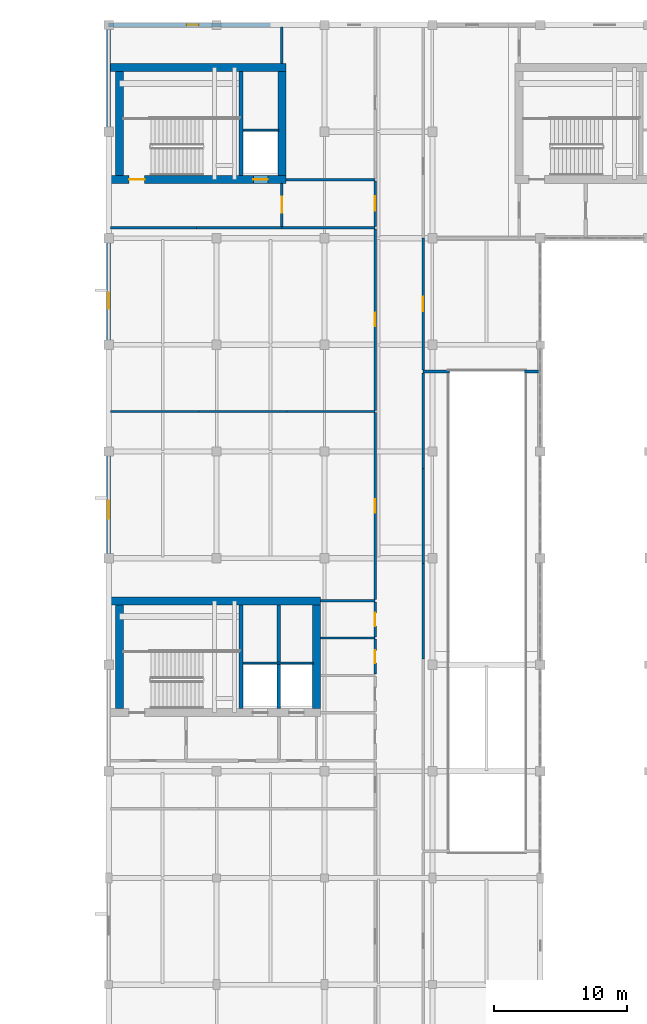
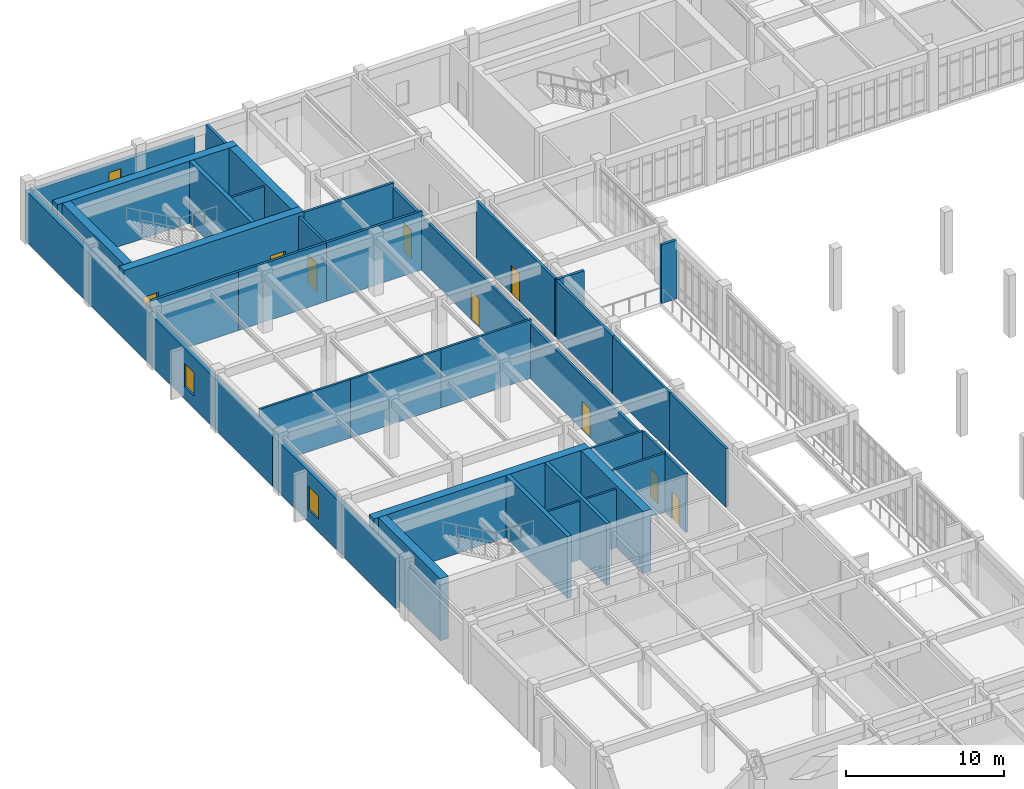
# One storey, part 46 of 61: 38 walls, 9 doors, 3 windows, 12 openings.
"""IFC4 building model written with IfcOpenShell, lengths in metres."""

from ifc_helpers import new_model, si_unit, direction, frame, frame_2d, origin, place, context, subcontext, project, spatial, rectangle, extrude, material, layer, layer_set, type_object, element, fill, save


model = new_model("IFC4")

# Units and contexts
model_context = context("Model", 3, precision=1e-05, world=origin(), true_north=direction((0.0, 1.0)))
body_context = subcontext(model_context, "Body", "Model", "MODEL_VIEW")
ifc_project = project(units=[si_unit("LENGTHUNIT", "METRE"), si_unit("AREAUNIT", "SQUARE_METRE"), si_unit("VOLUMEUNIT", "CUBIC_METRE"), si_unit("PLANEANGLEUNIT", "RADIAN"), si_unit("MASSUNIT", "GRAM", prefix="KILO")], contexts=[model_context])

# Site, building, storey
site_placement = place(None, origin())
site = spatial("IfcSite", under=ifc_project, at=site_placement, CompositionType="ELEMENT")
building_placement = place(site_placement, origin())
building = spatial("IfcBuilding", under=site, at=building_placement, Name="Tarnveldt Square Police Headquarters", CompositionType="ELEMENT")
storey_placement = place(building_placement, frame((0.0, 0.0, 5.39990234375)))
storey = spatial("IfcBuildingStorey", under=building, at=storey_placement, Name="L01", CompositionType="ELEMENT", Elevation=5.39990234375)

# Walls
ifc_material_1 = material(Name="Fire-rated Type X gypsum board on steel studs", Category="steel")
ifc_layer_1 = layer(ifc_material_1, 0.199951171875)
ifc_layer_set_1 = layer_set([ifc_layer_1], Name="Fire-rated Type X gypsum board on steel studs")
wall_type_1 = type_object("IfcWallType", Name="WL-ACOUST-200", PredefinedType="PARTITIONING", material=ifc_layer_set_1)
wall_1_placement = place(storey_placement, frame((39.800048828125, 86.0, 0.0), z_axis=(0.0, 0.0, 1.0), x_axis=(1.0, 0.0, 0.0)))
element("IfcWall", 1, at=wall_1_placement, inside=storey, type_object=wall_type_1, Name="L01 Interior Partition Wall 0243", PredefinedType="PARTITIONING", context=body_context, shape_type="SweptSolid", body=[
    extrude(rectangle(XDim=1.989990234375, YDim=0.199951171875, at=frame_2d((0.9951171875, 0.0))), origin(), (0.0, 0.0, 1.0), 4.52001953125),
])
wall_2_placement = place(storey_placement, frame((47.409912109375, 86.0, 0.0), z_axis=(0.0, 0.0, 1.0), x_axis=(1.0, 0.0, 0.0)))
element("IfcWall", 2, at=wall_2_placement, inside=storey, type_object=wall_type_1, Name="L01 Interior Partition Wall 0244", PredefinedType="PARTITIONING", context=body_context, shape_type="SweptSolid", body=[
    extrude(rectangle(XDim=1.125, YDim=0.199951171875, at=frame_2d((0.5625, 0.0))), origin(), (0.0, 0.0, 1.0), 4.52001953125),
])
wall_3_placement = place(storey_placement, frame((29.199951171875, 109.10791015625, 0.0), z_axis=(0.0, 0.0, 1.0), x_axis=(0.0, 1.0, 0.0)))
element("IfcWall", 3, at=wall_3_placement, inside=storey, type_object=wall_type_1, Name="L01 Interior Partition Wall 0268", PredefinedType="PARTITIONING", context=body_context, shape_type="SweptSolid", body=[
    extrude(rectangle(XDim=2.734130859375, YDim=0.199951171875, at=frame_2d((1.3671875, 0.0))), origin(), (0.0, 0.0, 1.0), 4.52001953125),
])
ifc_material_2 = material(Name="Concrete 50 MPa", Category="concrete")
ifc_layer_2 = layer(ifc_material_2, 0.449951171875)
ifc_layer_set_2 = layer_set([ifc_layer_2], Name="Concrete 50 MPa")
wall_type_2 = type_object("IfcWallType", Name="WL-CORE-450", PredefinedType="SHEAR", material=ifc_layer_set_2)
wall_4_placement = place(storey_placement, frame((26.14990234375, 60.699951171875, 0.0), z_axis=(0.0, 0.0, 1.0), x_axis=(0.0, 1.0, 0.0)))
element("IfcWall", 4, at=wall_4_placement, inside=storey, type_object=wall_type_2, Name="Core K1 South-West Command and Firefighting Core L01 Stair-Lift Divider Shear Wall", PredefinedType="SHEAR", context=body_context, shape_type="SweptSolid", body=[
    extrude(rectangle(XDim=7.800048828125, YDim=0.300048828125, at=frame_2d((3.89990234375, 0.0))), origin(), (0.0, 0.0, 1.0), 4.800048828125),
])
wall_5_placement = place(storey_placement, frame((28.97509765625, 60.699951171875, 0.0), z_axis=(0.0, 0.0, 1.0), x_axis=(0.0, 1.0, 0.0)))
element("IfcWall", 5, at=wall_5_placement, inside=storey, type_object=wall_type_2, Name="Core K1 South-West Command and Firefighting Core L01 Dual-Lift Shaft Divider Wall", PredefinedType="SHEAR", context=body_context, shape_type="SweptSolid", body=[
    extrude(rectangle(XDim=7.800048828125, YDim=0.25, at=frame_2d((3.89990234375, 0.0))), origin(), (0.0, 0.0, 1.0), 4.800048828125),
])
wall_6_placement = place(storey_placement, frame((26.14990234375, 100.699951171875, 0.0), z_axis=(0.0, 0.0, 1.0), x_axis=(0.0, 1.0, 0.0)))
element("IfcWall", 6, at=wall_6_placement, inside=storey, type_object=wall_type_2, Name="Core K2 North-West Operations Core L01 Stair-Lift Divider Shear Wall", PredefinedType="SHEAR", context=body_context, shape_type="SweptSolid", body=[
    extrude(rectangle(XDim=7.800048828125, YDim=0.300048828125, at=frame_2d((3.89990234375, 0.0))), origin(), (0.0, 0.0, 1.0), 4.800048828125),
])
ifc_layer_3 = layer(ifc_material_2, 0.60009765625)
ifc_layer_set_3 = layer_set([ifc_layer_3], Name="Concrete 50 MPa")
wall_type_3 = type_object("IfcWallType", Name="WL-CORE-600", PredefinedType="SHEAR", material=ifc_layer_set_3)
wall_7_placement = place(storey_placement, frame((16.360107421875, 68.800048828125, 0.0), z_axis=(0.0, 0.0, 1.0), x_axis=(1.0, 0.0, 0.0)))
element("IfcWall", 7, at=wall_7_placement, inside=storey, type_object=wall_type_3, Name="Core K1 South-West Command and Firefighting Core L01 North Shear Wall", PredefinedType="SHEAR", context=body_context, shape_type="SweptSolid", body=[
    extrude(rectangle(XDim=15.739990234375, YDim=0.60009765625, at=frame_2d((7.8701171875, 0.0))), origin(), (0.0, 0.0, 1.0), 4.800048828125),
])
for number, where, z_axis, x_axis, name in (
    (8, (17.0, 60.699951171875, 0.0), (0.0, 0.0, 1.0), (0.0, 1.0, 0.0), "Core K1 South-West Command and Firefighting Core L01 West Shear Wall"),
    (9, (31.800048828125, 60.699951171875, 0.0), (0.0, 0.0, 1.0), (0.0, 1.0, 0.0), "Core K1 South-West Command and Firefighting Core L01 East Shear Wall"),
):
    element("IfcWall", number, at=place(storey_placement, frame(where, z_axis=z_axis, x_axis=x_axis)), inside=storey, type_object=wall_type_3, Name=name, PredefinedType="SHEAR", context=body_context, shape_type="SweptSolid", body=[
        extrude(rectangle(XDim=7.800048828125, YDim=0.60009765625, at=frame_2d((3.89990234375, 0.0))), origin(), (0.0, 0.0, 1.0), 4.800048828125),
    ])

# Wall, openings, doors
wall_8_placement = place(storey_placement, frame((16.360107421875, 100.39990234375, 0.0), z_axis=(0.0, 0.0, 1.0), x_axis=(1.0, 0.0, 0.0)))
wall_8 = element("IfcWall", 10, at=wall_8_placement, inside=storey, type_object=wall_type_3, Name="Core K2 North-West Operations Core L01 South Shear Wall", PredefinedType="SHEAR", context=body_context, shape_type="SweptSolid", body=[
    extrude(rectangle(XDim=13.139892578125, YDim=0.60009765625, at=frame_2d((6.56982421875, 0.0))), origin(), (0.0, 0.0, 1.0), 4.800048828125),
])
opening_1_placement = place(wall_8_placement, frame((1.389892578125, 0.0, 0.0)))
opening_1 = element("IfcOpeningElement", 11, at=opening_1_placement, cuts=wall_8, Name="Opening D-ST2-L01", PredefinedType="OPENING", context=body_context, shape_type="SweptSolid", body=[
    extrude(rectangle(XDim=1.14990234375, YDim=2.25, at=frame_2d((0.574951171875, 1.125))), frame((0.0, 0.31005859375, 0.0), z_axis=(0.0, -1.0, 0.0), x_axis=(1.0, 0.0, 0.0)), (0.0, 0.0, 1.0), 0.6201171875),
])
opening_2_placement = place(wall_8_placement, frame((10.695068359375, 0.0, 0.0)))
opening_2 = element("IfcOpeningElement", 12, at=opening_2_placement, cuts=wall_8, Name="Opening LD-LP2-L01", PredefinedType="OPENING", context=body_context, shape_type="SweptSolid", body=[
    extrude(rectangle(XDim=1.10009765625, YDim=2.199951171875, at=frame_2d((0.550048828125, 1.10009765625))), frame((0.0, 0.31005859375, 0.0), z_axis=(0.0, -1.0, 0.0), x_axis=(1.0, 0.0, 0.0)), (0.0, 0.0, 1.0), 0.6201171875),
])
ifc_material_3 = material(Name="Insulated hollow metal steel door leaf", Category="steel")
door_type_1 = type_object("IfcDoorType", Name="DR-FD90-1150", OperationType="NOTDEFINED", PredefinedType="DOOR", material=ifc_material_3)
door_1_placement = place(opening_1_placement, origin())
door_1 = element("IfcDoor", 13, at=door_1_placement, inside=storey, type_object=door_type_1, Name="Exit Stair ST2 L01 Fire Door", OperationType="SINGLE_SWING_LEFT", OverallHeight=2.25, OverallWidth=1.14990234375, PredefinedType="DOOR", context=body_context, shape_type="SweptSolid", body=[
    extrude(rectangle(XDim=1.14990234375, YDim=2.25, at=frame_2d((0.574951171875, 1.125))), frame((0.0, 0.02490234375, 0.0), z_axis=(0.0, -1.0, 0.0), x_axis=(1.0, 0.0, 0.0)), (0.0, 0.0, 1.0), 0.050048828125),
])
fill(opening_1, door_1)
ifc_material_4 = material(Name="Steel 350W", Category="steel")
door_type_2 = type_object("IfcDoorType", Name="DR-LD-1100", OperationType="DOUBLE_DOOR_SLIDING", PredefinedType="DOOR", material=ifc_material_4)
door_2_placement = place(opening_2_placement, frame((1.10009765625, 0.0, 0.0), z_axis=(0.0, 0.0, 1.0), x_axis=(-1.0, 0.0, 0.0)))
door_2 = element("IfcDoor", 14, at=door_2_placement, inside=storey, type_object=door_type_2, Name="Elevator LP2 L01 Sliding Landing Door", OperationType="DOUBLE_DOOR_SLIDING", OverallHeight=2.199951171875, OverallWidth=1.10009765625, PredefinedType="DOOR", context=body_context, shape_type="SweptSolid", body=[
    extrude(rectangle(XDim=1.10009765625, YDim=2.199951171875, at=frame_2d((0.550048828125, 1.10009765625))), frame((0.0, 0.02490234375, 0.0), z_axis=(0.0, -1.0, 0.0), x_axis=(1.0, 0.0, 0.0)), (0.0, 0.0, 1.0), 0.050048828125),
])
fill(opening_2, door_2)

# Walls
wall_9_placement = place(storey_placement, frame((16.360107421875, 108.800048828125, 0.0), z_axis=(0.0, 0.0, 1.0), x_axis=(1.0, 0.0, 0.0)))
element("IfcWall", 15, at=wall_9_placement, inside=storey, type_object=wall_type_3, Name="Core K2 North-West Operations Core L01 North Shear Wall", PredefinedType="SHEAR", context=body_context, shape_type="SweptSolid", body=[
    extrude(rectangle(XDim=13.139892578125, YDim=0.60009765625, at=frame_2d((6.56982421875, 0.0))), origin(), (0.0, 0.0, 1.0), 4.800048828125),
])
for number, where, z_axis, x_axis, name in (
    (16, (17.0, 100.699951171875, 0.0), (0.0, 0.0, 1.0), (0.0, 1.0, 0.0), "Core K2 North-West Operations Core L01 West Shear Wall"),
    (17, (29.199951171875, 100.699951171875, 0.0), (0.0, 0.0, 1.0), (0.0, 1.0, 0.0), "Core K2 North-West Operations Core L01 East Shear Wall"),
):
    element("IfcWall", number, at=place(storey_placement, frame(where, z_axis=z_axis, x_axis=x_axis)), inside=storey, type_object=wall_type_3, Name=name, PredefinedType="SHEAR", context=body_context, shape_type="SweptSolid", body=[
        extrude(rectangle(XDim=7.800048828125, YDim=0.60009765625, at=frame_2d((3.89990234375, 0.0))), origin(), (0.0, 0.0, 1.0), 4.800048828125),
    ])

# Wall, opening, window
ifc_material_5 = material(Name="Manganese ironspot clay brick masonry 20 MPa", Category="masonry")
ifc_layer_4 = layer(ifc_material_5, 0.300048828125)
ifc_layer_set_4 = layer_set([ifc_layer_4], Name="Manganese ironspot clay brick masonry 20 MPa")
wall_type_4 = type_object("IfcWallType", Name="WL-EXT-BRK300", PredefinedType="SOLIDWALL", material=ifc_layer_set_4)
wall_10_placement = place(storey_placement, frame((28.35009765625, 112.0, 0.0), z_axis=(0.0, 0.0, 1.0), x_axis=(-1.0, 0.0, 0.0)))
wall_10 = element("IfcWall", 18, at=wall_10_placement, inside=storey, type_object=wall_type_4, Name="L01 Brutalist Exterior Wall 0093", PredefinedType="SOLIDWALL", context=body_context, shape_type="SweptSolid", body=[
    extrude(rectangle(XDim=12.150146484375, YDim=0.300048828125, at=frame_2d((6.0751953125, 0.0))), origin(), (0.0, 0.0, 1.0), 3.81201171875),
])
opening_3_placement = place(wall_10_placement, frame((5.39990234375, 0.0, 0.85009765625)))
opening_3 = element("IfcOpeningElement", 19, at=opening_3_placement, cuts=wall_10, Name="Opening W03", PredefinedType="OPENING", context=body_context, shape_type="SweptSolid", body=[
    extrude(rectangle(XDim=0.89990234375, YDim=2.39990234375, at=frame_2d((0.449951171875, 1.199951171875))), frame((0.0, 0.159912109375, 0.0), z_axis=(0.0, -1.0, 0.0), x_axis=(1.0, 0.0, 0.0)), (0.0, 0.0, 1.0), 0.320068359375),
])
ifc_material_6 = material(Name="Triple-glazed low-e laminated vision glass", Category="glass")
window_type_1 = type_object("IfcWindowType", Name="WIN-DR-090x240", PartitioningType="DOUBLE_PANEL_HORIZONTAL", PredefinedType="WINDOW", material=ifc_material_6)
window_1_placement = place(opening_3_placement, origin())
window_1 = element("IfcWindow", 20, at=window_1_placement, inside=storey, type_object=window_type_1, Name="L01 Deep-Reveal Brutalist Window 0027", OverallHeight=2.39990234375, OverallWidth=0.89990234375, PartitioningType="DOUBLE_PANEL_HORIZONTAL", PredefinedType="WINDOW", context=body_context, shape_type="SweptSolid", body=[
    extrude(rectangle(XDim=0.89990234375, YDim=2.39990234375, at=frame_2d((0.449951171875, 1.199951171875))), frame((0.0, 0.030029296875, 0.0), z_axis=(0.0, -1.0, 0.0), x_axis=(1.0, 0.0, 0.0)), (0.0, 0.0, 1.0), 0.06005859375),
])
fill(opening_3, window_1)

# Wall
wall_11_placement = place(storey_placement, frame((16.199951171875, 112.0, 0.0), z_axis=(0.0, 0.0, 1.0), x_axis=(0.0, -1.0, 0.0)))
element("IfcWall", 21, at=wall_11_placement, inside=storey, type_object=wall_type_4, Name="L01 Brutalist Exterior Wall 0094", PredefinedType="SOLIDWALL", context=body_context, shape_type="SweptSolid", body=[
    extrude(rectangle(XDim=15.60009765625, YDim=0.300048828125, at=frame_2d((7.800048828125, 0.0))), origin(), (0.0, 0.0, 1.0), 3.912109375),
])

# Wall, opening, window
wall_12_placement = place(storey_placement, frame((16.199951171875, 96.39990234375, 0.0), z_axis=(0.0, 0.0, 1.0), x_axis=(0.0, -1.0, 0.0)))
wall_12 = element("IfcWall", 22, at=wall_12_placement, inside=storey, type_object=wall_type_4, Name="L01 Brutalist Exterior Wall 0095", PredefinedType="SOLIDWALL", context=body_context, shape_type="SweptSolid", body=[
    extrude(rectangle(XDim=15.599853515625, YDim=0.300048828125, at=frame_2d((7.7998046875, 0.0))), origin(), (0.0, 0.0, 1.0), 3.912109375),
])
opening_4_placement = place(wall_12_placement, frame((4.5, 0.0, 0.949951171875)))
opening_4 = element("IfcOpeningElement", 23, at=opening_4_placement, cuts=wall_12, Name="Opening W04", PredefinedType="OPENING", context=body_context, shape_type="SweptSolid", body=[
    extrude(rectangle(XDim=1.199951171875, YDim=1.800048828125, at=frame_2d((0.60009765625, 0.89990234375))), frame((0.0, 0.159912109375, 0.0), z_axis=(0.0, -1.0, 0.0), x_axis=(1.0, 0.0, 0.0)), (0.0, 0.0, 1.0), 0.320068359375),
])
window_type_2 = type_object("IfcWindowType", Name="WIN-DR-120x180", PartitioningType="SINGLE_PANEL", PredefinedType="WINDOW", material=ifc_material_6)
window_2_placement = place(opening_4_placement, origin())
window_2 = element("IfcWindow", 24, at=window_2_placement, inside=storey, type_object=window_type_2, Name="L01 Deep-Reveal Brutalist Window 0028", OverallHeight=1.800048828125, OverallWidth=1.199951171875, PartitioningType="SINGLE_PANEL", PredefinedType="WINDOW", context=body_context, shape_type="SweptSolid", body=[
    extrude(rectangle(XDim=1.199951171875, YDim=1.800048828125, at=frame_2d((0.60009765625, 0.89990234375))), frame((0.0, 0.030029296875, 0.0), z_axis=(0.0, -1.0, 0.0), x_axis=(1.0, 0.0, 0.0)), (0.0, 0.0, 1.0), 0.06005859375),
])
fill(opening_4, window_2)

wall_13_placement = place(storey_placement, frame((16.199951171875, 80.800048828125, 0.0), z_axis=(0.0, 0.0, 1.0), x_axis=(0.0, -1.0, 0.0)))
wall_13 = element("IfcWall", 25, at=wall_13_placement, inside=storey, type_object=wall_type_4, Name="L01 Brutalist Exterior Wall 0096", PredefinedType="SOLIDWALL", context=body_context, shape_type="SweptSolid", body=[
    extrude(rectangle(XDim=15.60009765625, YDim=0.300048828125, at=frame_2d((7.800048828125, 0.0))), origin(), (0.0, 0.0, 1.0), 3.912109375),
])
opening_5_placement = place(wall_13_placement, frame((4.5, 0.0, 0.949951171875)))
opening_5 = element("IfcOpeningElement", 26, at=opening_5_placement, cuts=wall_13, Name="Opening W05", PredefinedType="OPENING", context=body_context, shape_type="SweptSolid", body=[
    extrude(rectangle(XDim=1.35009765625, YDim=1.800048828125, at=frame_2d((0.675048828125, 0.89990234375))), frame((0.0, 0.159912109375, 0.0), z_axis=(0.0, -1.0, 0.0), x_axis=(1.0, 0.0, 0.0)), (0.0, 0.0, 1.0), 0.320068359375),
])
window_type_3 = type_object("IfcWindowType", Name="WIN-DR-135x180", PartitioningType="DOUBLE_PANEL_VERTICAL", PredefinedType="WINDOW", material=ifc_material_6)
window_3_placement = place(opening_5_placement, origin())
window_3 = element("IfcWindow", 27, at=window_3_placement, inside=storey, type_object=window_type_3, Name="L01 Deep-Reveal Brutalist Window 0029", OverallHeight=1.800048828125, OverallWidth=1.35009765625, PartitioningType="DOUBLE_PANEL_VERTICAL", PredefinedType="WINDOW", context=body_context, shape_type="SweptSolid", body=[
    extrude(rectangle(XDim=1.35009765625, YDim=1.800048828125, at=frame_2d((0.675048828125, 0.89990234375))), frame((0.0, 0.030029296875, 0.0), z_axis=(0.0, -1.0, 0.0), x_axis=(1.0, 0.0, 0.0)), (0.0, 0.0, 1.0), 0.06005859375),
])
fill(opening_5, window_3)

# Walls
ifc_layer_5 = layer(ifc_material_1, 0.179931640625)
ifc_layer_set_5 = layer_set([ifc_layer_5], Name="Fire-rated Type X gypsum board on steel studs")
wall_type_5 = type_object("IfcWallType", Name="WL-FIRE-180", PredefinedType="PARTITIONING", material=ifc_layer_set_5)
wall_14_placement = place(storey_placement, frame((16.35791015625, 96.800048828125, 0.0), z_axis=(0.0, 0.0, 1.0), x_axis=(1.0, 0.0, 0.0)))
element("IfcWall", 28, at=wall_14_placement, inside=storey, type_object=wall_type_5, Name="L01 Interior Partition Wall 0226", PredefinedType="PARTITIONING", context=body_context, shape_type="SweptSolid", body=[
    extrude(rectangle(XDim=6.421142578125, YDim=0.179931640625, at=frame_2d((3.21044921875, 0.0))), origin(), (0.0, 0.0, 1.0), 4.52001953125),
])
wall_15_placement = place(storey_placement, frame((22.779052734375, 96.800048828125, 0.0), z_axis=(0.0, 0.0, 1.0), x_axis=(1.0, 0.0, 0.0)))
element("IfcWall", 29, at=wall_15_placement, inside=storey, type_object=wall_type_5, Name="L01 Interior Partition Wall 0227", PredefinedType="PARTITIONING", context=body_context, shape_type="SweptSolid", body=[
    extrude(rectangle(XDim=6.4208984375, YDim=0.179931640625, at=frame_2d((3.21044921875, 0.0))), origin(), (0.0, 0.0, 1.0), 4.52001953125),
])
wall_16_placement = place(storey_placement, frame((29.199951171875, 96.800048828125, 0.0), z_axis=(0.0, 0.0, 1.0), x_axis=(1.0, 0.0, 0.0)))
element("IfcWall", 30, at=wall_16_placement, inside=storey, type_object=wall_type_5, Name="L01 Interior Partition Wall 0231", PredefinedType="PARTITIONING", context=body_context, shape_type="SweptSolid", body=[
    extrude(rectangle(XDim=7.0, YDim=0.179931640625, at=frame_2d((3.5, 0.0))), origin(), (0.0, 0.0, 1.0), 4.52001953125),
])
wall_17_placement = place(storey_placement, frame((29.5, 100.39990234375, 0.0), z_axis=(0.0, 0.0, 1.0), x_axis=(1.0, 0.0, 0.0)))
element("IfcWall", 31, at=wall_17_placement, inside=storey, type_object=wall_type_5, Name="L01 Interior Partition Wall 0232", PredefinedType="PARTITIONING", context=body_context, shape_type="SweptSolid", body=[
    extrude(rectangle(XDim=6.699951171875, YDim=0.179931640625, at=frame_2d((3.35009765625, 0.0))), origin(), (0.0, 0.0, 1.0), 4.52001953125),
])

# Wall, opening, door
wall_18_placement = place(storey_placement, frame((29.199951171875, 96.89794921875, 0.0), z_axis=(0.0, 0.0, 1.0), x_axis=(0.0, 1.0, 0.0)))
wall_18 = element("IfcWall", 32, at=wall_18_placement, inside=storey, type_object=wall_type_5, Name="L01 Interior Partition Wall 0267", PredefinedType="PARTITIONING", context=body_context, shape_type="SweptSolid", body=[
    extrude(rectangle(XDim=3.194091796875, YDim=0.179931640625, at=frame_2d((1.59716796875, 0.0))), origin(), (0.0, 0.0, 1.0), 4.52001953125),
])
opening_6_placement = place(wall_18_placement, frame((0.9970703125, 0.0, 0.0)))
opening_6 = element("IfcOpeningElement", 33, at=opening_6_placement, cuts=wall_18, Name="Opening D16", PredefinedType="OPENING", context=body_context, shape_type="SweptSolid", body=[
    extrude(rectangle(XDim=1.199951171875, YDim=2.199951171875, at=frame_2d((0.60009765625, 1.10009765625))), frame((0.0, 0.099853515625, 0.0), z_axis=(0.0, -1.0, 0.0), x_axis=(1.0, 0.0, 0.0)), (0.0, 0.0, 1.0), 0.199951171875),
])
door_type_3 = type_object("IfcDoorType", Name="DR-FD60-1200", OperationType="NOTDEFINED", PredefinedType="DOOR", material=ifc_material_3)
door_3_placement = place(opening_6_placement, frame((1.199951171875, 0.0, 0.0), z_axis=(0.0, 0.0, 1.0), x_axis=(-1.0, 0.0, 0.0)))
door_3 = element("IfcDoor", 34, at=door_3_placement, inside=storey, type_object=door_type_3, Name="Core Lift Lobby K2-L01 Door", OperationType="SINGLE_SWING_RIGHT", OverallHeight=2.199951171875, OverallWidth=1.199951171875, PredefinedType="DOOR", context=body_context, shape_type="SweptSolid", body=[
    extrude(rectangle(XDim=1.199951171875, YDim=2.199951171875, at=frame_2d((0.60009765625, 1.10009765625))), frame((0.0, 0.02490234375, 0.0), z_axis=(0.0, -1.0, 0.0), x_axis=(1.0, 0.0, 0.0)), (0.0, 0.0, 1.0), 0.050048828125),
])
fill(opening_6, door_3)

wall_19_placement = place(storey_placement, frame((36.199951171875, 63.2880859375, 0.0), z_axis=(0.0, 0.0, 1.0), x_axis=(0.0, 1.0, 0.0)))
wall_19 = element("IfcWall", 35, at=wall_19_placement, inside=storey, type_object=wall_type_5, Name="L01 Interior Partition Wall 0278", PredefinedType="PARTITIONING", context=body_context, shape_type="SweptSolid", body=[
    extrude(rectangle(XDim=2.6240234375, YDim=0.179931640625, at=frame_2d((1.31201171875, 0.0))), origin(), (0.0, 0.0, 1.0), 4.52001953125),
])
opening_7_placement = place(wall_19_placement, frame((0.8369140625, 0.0, 0.0)))
opening_7 = element("IfcOpeningElement", 36, at=opening_7_placement, cuts=wall_19, Name="Opening D02", PredefinedType="OPENING", context=body_context, shape_type="SweptSolid", body=[
    extrude(rectangle(XDim=0.949951171875, YDim=2.10009765625, at=frame_2d((0.47509765625, 1.050048828125))), frame((0.0, 0.099853515625, 0.0), z_axis=(0.0, -1.0, 0.0), x_axis=(1.0, 0.0, 0.0)), (0.0, 0.0, 1.0), 0.199951171875),
])
ifc_material_7 = material(Name="Solid core architectural birch door leaf", Category="wood")
door_type_4 = type_object("IfcDoorType", Name="DR-WC-950", OperationType="NOTDEFINED", PredefinedType="DOOR", material=ifc_material_7)
door_4_placement = place(opening_7_placement, origin())
door_4 = element("IfcDoor", 37, at=door_4_placement, inside=storey, type_object=door_type_4, Name="Women Washroom L01 Door", OperationType="SINGLE_SWING_RIGHT", OverallHeight=2.10009765625, OverallWidth=0.949951171875, PredefinedType="DOOR", context=body_context, shape_type="SweptSolid", body=[
    extrude(rectangle(XDim=0.949951171875, YDim=2.10009765625, at=frame_2d((0.47509765625, 1.050048828125))), frame((0.0, 0.02490234375, 0.0), z_axis=(0.0, -1.0, 0.0), x_axis=(1.0, 0.0, 0.0)), (0.0, 0.0, 1.0), 0.050048828125),
])
fill(opening_7, door_4)

wall_20_placement = place(storey_placement, frame((36.199951171875, 66.087890625, 0.0), z_axis=(0.0, 0.0, 1.0), x_axis=(0.0, 1.0, 0.0)))
wall_20 = element("IfcWall", 38, at=wall_20_placement, inside=storey, type_object=wall_type_5, Name="L01 Interior Partition Wall 0279", PredefinedType="PARTITIONING", context=body_context, shape_type="SweptSolid", body=[
    extrude(rectangle(XDim=2.6240234375, YDim=0.179931640625, at=frame_2d((1.31201171875, 0.0))), origin(), (0.0, 0.0, 1.0), 4.52001953125),
])
opening_8_placement = place(wall_20_placement, frame((0.81201171875, 0.0, 0.0)))
opening_8 = element("IfcOpeningElement", 39, at=opening_8_placement, cuts=wall_20, Name="Opening D04", PredefinedType="OPENING", context=body_context, shape_type="SweptSolid", body=[
    extrude(rectangle(XDim=1.0, YDim=2.14990234375, at=frame_2d((0.5, 1.074951171875))), frame((0.0, 0.099853515625, 0.0), z_axis=(0.0, -1.0, 0.0), x_axis=(1.0, 0.0, 0.0)), (0.0, 0.0, 1.0), 0.199951171875),
])
door_type_5 = type_object("IfcDoorType", Name="DR-ACC-1000", OperationType="NOTDEFINED", PredefinedType="DOOR", material=ifc_material_7)
door_5_placement = place(opening_8_placement, origin())
door_5 = element("IfcDoor", 40, at=door_5_placement, inside=storey, type_object=door_type_5, Name="Accessible WC L01 Door", OperationType="SINGLE_SWING_LEFT", OverallHeight=2.14990234375, OverallWidth=1.0, PredefinedType="DOOR", context=body_context, shape_type="SweptSolid", body=[
    extrude(rectangle(XDim=1.0, YDim=2.14990234375, at=frame_2d((0.5, 1.074951171875))), frame((0.0, 0.02490234375, 0.0), z_axis=(0.0, -1.0, 0.0), x_axis=(1.0, 0.0, 0.0)), (0.0, 0.0, 1.0), 0.050048828125),
])
fill(opening_8, door_5)

wall_21_placement = place(storey_placement, frame((36.199951171875, 68.887939453125, 0.0), z_axis=(0.0, 0.0, 1.0), x_axis=(0.0, 1.0, 0.0)))
wall_21 = element("IfcWall", 41, at=wall_21_placement, inside=storey, type_object=wall_type_5, Name="L01 Interior Partition Wall 0280", PredefinedType="PARTITIONING", context=body_context, shape_type="SweptSolid", body=[
    extrude(rectangle(XDim=14.024169921875, YDim=0.179931640625, at=frame_2d((7.01220703125, 0.0))), origin(), (0.0, 0.0, 1.0), 4.1650390625),
])
opening_9_placement = place(wall_21_placement, frame((6.511962890625, 0.0, 0.0)))
opening_9 = element("IfcOpeningElement", 42, at=opening_9_placement, cuts=wall_21, Name="Opening D05", PredefinedType="OPENING", context=body_context, shape_type="SweptSolid", body=[
    extrude(rectangle(XDim=1.0, YDim=2.199951171875, at=frame_2d((0.5, 1.10009765625))), frame((0.0, 0.099853515625, 0.0), z_axis=(0.0, -1.0, 0.0), x_axis=(1.0, 0.0, 0.0)), (0.0, 0.0, 1.0), 0.199951171875),
])
door_type_6 = type_object("IfcDoorType", Name="DR-INT-1000", OperationType="NOTDEFINED", PredefinedType="DOOR", material=ifc_material_7)
door_6_placement = place(opening_9_placement, origin())
door_6 = element("IfcDoor", 43, at=door_6_placement, inside=storey, type_object=door_type_6, Name="Collision Forensics Analysis Unit Door", OperationType="SINGLE_SWING_RIGHT", OverallHeight=2.199951171875, OverallWidth=1.0, PredefinedType="DOOR", context=body_context, shape_type="SweptSolid", body=[
    extrude(rectangle(XDim=1.0, YDim=2.199951171875, at=frame_2d((0.5, 1.10009765625))), frame((0.0, 0.02490234375, 0.0), z_axis=(0.0, -1.0, 0.0), x_axis=(1.0, 0.0, 0.0)), (0.0, 0.0, 1.0), 0.050048828125),
])
fill(opening_9, door_6)

wall_22_placement = place(storey_placement, frame((36.199951171875, 83.087890625, 0.0), z_axis=(0.0, 0.0, 1.0), x_axis=(0.0, 1.0, 0.0)))
wall_22 = element("IfcWall", 44, at=wall_22_placement, inside=storey, type_object=wall_type_5, Name="L01 Interior Partition Wall 0281", PredefinedType="PARTITIONING", context=body_context, shape_type="SweptSolid", body=[
    extrude(rectangle(XDim=13.614013671875, YDim=0.179931640625, at=frame_2d((6.80712890625, 0.0))), origin(), (0.0, 0.0, 1.0), 4.1650390625),
])
opening_10_placement = place(wall_22_placement, frame((6.306884765625, 0.0, 0.0)))
opening_10 = element("IfcOpeningElement", 45, at=opening_10_placement, cuts=wall_22, Name="Opening D05", PredefinedType="OPENING", context=body_context, shape_type="SweptSolid", body=[
    extrude(rectangle(XDim=1.0, YDim=2.199951171875, at=frame_2d((0.5, 1.10009765625))), frame((0.0, 0.099853515625, 0.0), z_axis=(0.0, -1.0, 0.0), x_axis=(1.0, 0.0, 0.0)), (0.0, 0.0, 1.0), 0.199951171875),
])
door_7_placement = place(opening_10_placement, origin())
door_7 = element("IfcDoor", 46, at=door_7_placement, inside=storey, type_object=door_type_6, Name="Patrol Platoon Locker Room Door", OperationType="SINGLE_SWING_LEFT", OverallHeight=2.199951171875, OverallWidth=1.0, PredefinedType="DOOR", context=body_context, shape_type="SweptSolid", body=[
    extrude(rectangle(XDim=1.0, YDim=2.199951171875, at=frame_2d((0.5, 1.10009765625))), frame((0.0, 0.02490234375, 0.0), z_axis=(0.0, -1.0, 0.0), x_axis=(1.0, 0.0, 0.0)), (0.0, 0.0, 1.0), 0.050048828125),
])
fill(opening_10, door_7)

wall_23_placement = place(storey_placement, frame((36.199951171875, 96.89794921875, 0.0), z_axis=(0.0, 0.0, 1.0), x_axis=(0.0, 1.0, 0.0)))
wall_23 = element("IfcWall", 47, at=wall_23_placement, inside=storey, type_object=wall_type_5, Name="L01 Interior Partition Wall 0282", PredefinedType="PARTITIONING", context=body_context, shape_type="SweptSolid", body=[
    extrude(rectangle(XDim=3.404052734375, YDim=0.179931640625, at=frame_2d((1.7021484375, 0.0))), origin(), (0.0, 0.0, 1.0), 4.158203125),
])
opening_11_placement = place(wall_23_placement, frame((1.152099609375, 0.0, 0.0)))
opening_11 = element("IfcOpeningElement", 48, at=opening_11_placement, cuts=wall_23, Name="Opening D15", PredefinedType="OPENING", context=body_context, shape_type="SweptSolid", body=[
    extrude(rectangle(XDim=1.10009765625, YDim=2.199951171875, at=frame_2d((0.550048828125, 1.10009765625))), frame((0.0, 0.099853515625, 0.0), z_axis=(0.0, -1.0, 0.0), x_axis=(1.0, 0.0, 0.0)), (0.0, 0.0, 1.0), 0.199951171875),
])
door_type_7 = type_object("IfcDoorType", Name="DR-FD60-1100", OperationType="NOTDEFINED", PredefinedType="DOOR", material=ifc_material_3)
door_8_placement = place(opening_11_placement, origin())
door_8 = element("IfcDoor", 49, at=door_8_placement, inside=storey, type_object=door_type_7, Name="Core K2 East Vestibule L01 Door", OperationType="SINGLE_SWING_RIGHT", OverallHeight=2.199951171875, OverallWidth=1.10009765625, PredefinedType="DOOR", context=body_context, shape_type="SweptSolid", body=[
    extrude(rectangle(XDim=1.10009765625, YDim=2.199951171875, at=frame_2d((0.550048828125, 1.10009765625))), frame((0.0, 0.02490234375, 0.0), z_axis=(0.0, -1.0, 0.0), x_axis=(1.0, 0.0, 0.0)), (0.0, 0.0, 1.0), 0.050048828125),
])
fill(opening_11, door_8)

# Walls
for number, where, z_axis, x_axis, name in (
    (50, (39.800048828125, 64.421630859375, 0.0), (0.0, 0.0, 1.0), (0.0, 1.0, 0.0), "L01 Interior Partition Wall 0287"),
    (51, (39.800048828125, 71.578369140625, 0.0), (0.0, 0.0, 1.0), (0.0, 1.0, 0.0), "L01 Interior Partition Wall 0288"),
):
    element("IfcWall", number, at=place(storey_placement, frame(where, z_axis=z_axis, x_axis=x_axis)), inside=storey, type_object=wall_type_5, Name=name, PredefinedType="PARTITIONING", context=body_context, shape_type="SweptSolid", body=[
        extrude(rectangle(XDim=7.15673828125, YDim=0.179931640625, at=frame_2d((3.578369140625, 0.0))), origin(), (0.0, 0.0, 1.0), 4.52001953125),
    ])
wall_24_placement = place(storey_placement, frame((39.800048828125, 78.735107421875, 0.0), z_axis=(0.0, 0.0, 1.0), x_axis=(0.0, 1.0, 0.0)))
element("IfcWall", 52, at=wall_24_placement, inside=storey, type_object=wall_type_5, Name="L01 Interior Partition Wall 0289", PredefinedType="PARTITIONING", context=body_context, shape_type="SweptSolid", body=[
    extrude(rectangle(XDim=7.156982421875, YDim=0.179931640625, at=frame_2d((3.57861328125, 0.0))), origin(), (0.0, 0.0, 1.0), 4.52001953125),
])

# Wall, opening, door
wall_25_placement = place(storey_placement, frame((39.800048828125, 86.10791015625, 0.0), z_axis=(0.0, 0.0, 1.0), x_axis=(0.0, 1.0, 0.0)))
wall_25 = element("IfcWall", 53, at=wall_25_placement, inside=storey, type_object=wall_type_5, Name="L01 Interior Partition Wall 0290", PredefinedType="PARTITIONING", context=body_context, shape_type="SweptSolid", body=[
    extrude(rectangle(XDim=9.89208984375, YDim=0.179931640625, at=frame_2d((4.946044921875, 0.0))), origin(), (0.0, 0.0, 1.0), 4.52001953125),
])
opening_12_placement = place(wall_25_placement, frame((4.39599609375, 0.0, 0.0)))
opening_12 = element("IfcOpeningElement", 54, at=opening_12_placement, cuts=wall_25, Name="Opening D07", PredefinedType="OPENING", context=body_context, shape_type="SweptSolid", body=[
    extrude(rectangle(XDim=1.10009765625, YDim=2.199951171875, at=frame_2d((0.550048828125, 1.10009765625))), frame((0.0, 0.099853515625, 0.0), z_axis=(0.0, -1.0, 0.0), x_axis=(1.0, 0.0, 0.0)), (0.0, 0.0, 1.0), 0.199951171875),
])
door_type_8 = type_object("IfcDoorType", Name="DR-INT-1100", OperationType="NOTDEFINED", PredefinedType="DOOR", material=ifc_material_7)
door_9_placement = place(opening_12_placement, frame((1.10009765625, 0.0, 0.0), z_axis=(0.0, 0.0, 1.0), x_axis=(-1.0, 0.0, 0.0)))
door_9 = element("IfcDoor", 55, at=door_9_placement, inside=storey, type_object=door_type_8, Name="Victim Family Consultation Lounge Door", OperationType="SINGLE_SWING_LEFT", OverallHeight=2.199951171875, OverallWidth=1.10009765625, PredefinedType="DOOR", context=body_context, shape_type="SweptSolid", body=[
    extrude(rectangle(XDim=1.10009765625, YDim=2.199951171875, at=frame_2d((0.550048828125, 1.10009765625))), frame((0.0, 0.02490234375, 0.0), z_axis=(0.0, -1.0, 0.0), x_axis=(1.0, 0.0, 0.0)), (0.0, 0.0, 1.0), 0.050048828125),
])
fill(opening_12, door_9)

# Walls
ifc_layer_6 = layer(ifc_material_1, 0.14990234375)
ifc_layer_set_6 = layer_set([ifc_layer_6], Name="Fire-rated Type X gypsum board on steel studs")
wall_type_6 = type_object("IfcWallType", Name="WL-SHAFT-150", PredefinedType="PARTITIONING", material=ifc_layer_set_6)
wall_26_placement = place(storey_placement, frame((26.300048828125, 64.1201171875, 0.0), z_axis=(0.0, 0.0, 1.0), x_axis=(1.0, 0.0, 0.0)))
element("IfcWall", 56, at=wall_26_placement, inside=storey, type_object=wall_type_6, Name="K1 L01 Elevator Shaft Back Wall", PredefinedType="PARTITIONING", context=body_context, shape_type="SweptSolid", body=[
    extrude(rectangle(XDim=5.25, YDim=0.14990234375, at=frame_2d((2.625, 0.0))), origin(), (0.0, 0.0, 1.0), 4.52001953125),
])
wall_27_placement = place(storey_placement, frame((26.300048828125, 104.1201171875, 0.0), z_axis=(0.0, 0.0, 1.0), x_axis=(1.0, 0.0, 0.0)))
element("IfcWall", 57, at=wall_27_placement, inside=storey, type_object=wall_type_6, Name="K2 L01 Elevator Shaft Back Wall", PredefinedType="PARTITIONING", context=body_context, shape_type="SweptSolid", body=[
    extrude(rectangle(XDim=2.64990234375, YDim=0.14990234375, at=frame_2d((1.324951171875, 0.0))), origin(), (0.0, 0.0, 1.0), 4.52001953125),
])
ifc_material_8 = material(Name="Concrete block masonry 15 MPa", Category="masonry")
ifc_layer_7 = layer(ifc_material_8, 0.159912109375)
ifc_layer_set_7 = layer_set([ifc_layer_7], Name="Concrete block masonry 15 MPa")
wall_type_7 = type_object("IfcWallType", Name="WL-WET-160", PredefinedType="PARTITIONING", material=ifc_layer_set_7)
for number, where, z_axis, x_axis, name in (
    (58, (16.35791015625, 83.0, 0.0), (0.0, 0.0, 1.0), (1.0, 0.0, 0.0), "L01 Interior Partition Wall 0223"),
    (59, (22.971923828125, 83.0, 0.0), (0.0, 0.0, 1.0), (1.0, 0.0, 0.0), "L01 Interior Partition Wall 0224"),
    (60, (29.5859375, 83.0, 0.0), (0.0, 0.0, 1.0), (1.0, 0.0, 0.0), "L01 Interior Partition Wall 0225"),
):
    element("IfcWall", number, at=place(storey_placement, frame(where, z_axis=z_axis, x_axis=x_axis)), inside=storey, type_object=wall_type_7, Name=name, PredefinedType="PARTITIONING", context=body_context, shape_type="SweptSolid", body=[
        extrude(rectangle(XDim=6.614013671875, YDim=0.159912109375, at=frame_2d((3.30712890625, 0.0))), origin(), (0.0, 0.0, 1.0), 4.52001953125),
    ])
wall_28_placement = place(storey_placement, frame((32.10791015625, 66.0, 0.0), z_axis=(0.0, 0.0, 1.0), x_axis=(1.0, 0.0, 0.0)))
element("IfcWall", 61, at=wall_28_placement, inside=storey, type_object=wall_type_7, Name="L01 Interior Partition Wall 0236", PredefinedType="PARTITIONING", context=body_context, shape_type="SweptSolid", body=[
    extrude(rectangle(XDim=4.092041015625, YDim=0.159912109375, at=frame_2d((2.0458984375, 0.0))), origin(), (0.0, 0.0, 1.0), 4.52001953125),
])
wall_29_placement = place(storey_placement, frame((32.10009765625, 68.800048828125, 0.0), z_axis=(0.0, 0.0, 1.0), x_axis=(1.0, 0.0, 0.0)))
element("IfcWall", 62, at=wall_29_placement, inside=storey, type_object=wall_type_7, Name="L01 Interior Partition Wall 0237", PredefinedType="PARTITIONING", context=body_context, shape_type="SweptSolid", body=[
    extrude(rectangle(XDim=4.099853515625, YDim=0.159912109375, at=frame_2d((2.0498046875, 0.0))), origin(), (0.0, 0.0, 1.0), 4.52001953125),
])

save(model, "model.ifc")
